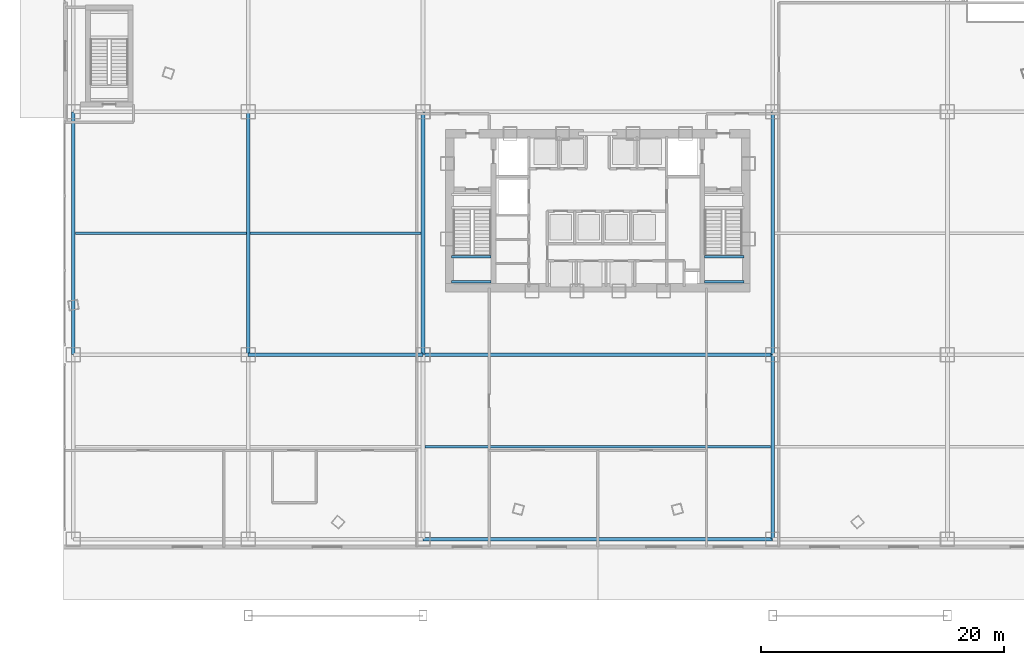
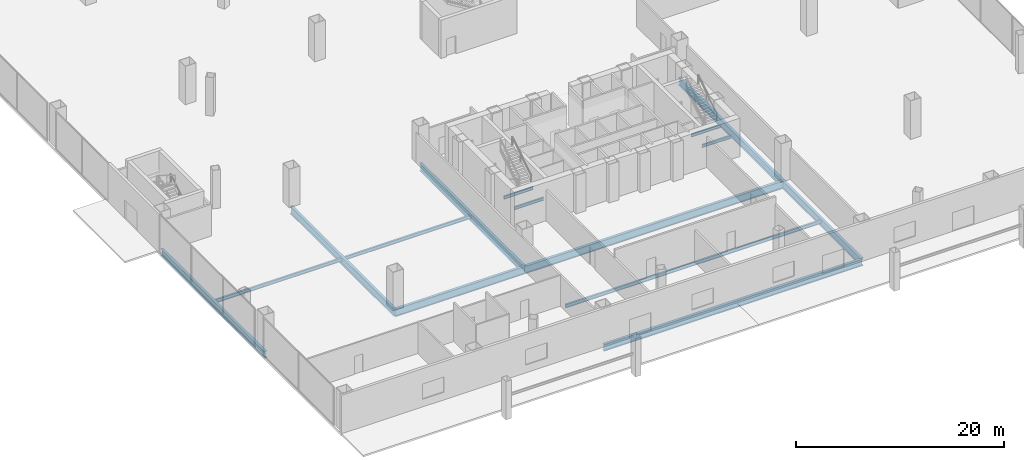
# One storey, part 9 of 58: 15 beams.
"""IFC4 building model written with IfcOpenShell, lengths in metres."""

from ifc_helpers import new_model, si_unit, direction, frame, origin, origin_2d, place, context, subcontext, project, spatial, i_section, extrude, source, transform, mapped, material, material_profile, profile_set, type_object, element, save


model = new_model("IFC4")

# Units and contexts
model_context = context("Model", 3, precision=1e-05, world=origin(), true_north=direction((0.0, 1.0)))
body_context = subcontext(model_context, "Body", "Model", "MODEL_VIEW")
ifc_project = project(units=[si_unit("LENGTHUNIT", "METRE"), si_unit("AREAUNIT", "SQUARE_METRE"), si_unit("VOLUMEUNIT", "CUBIC_METRE"), si_unit("PLANEANGLEUNIT", "RADIAN"), si_unit("MASSUNIT", "GRAM", prefix="KILO"), si_unit("THERMODYNAMICTEMPERATUREUNIT", "KELVIN"), si_unit("POWERUNIT", "WATT")], contexts=[model_context])

# Site, building, storey
site_placement = place(None, origin())
site = spatial("IfcSite", under=ifc_project, at=site_placement, CompositionType="ELEMENT")
building_placement = place(site_placement, origin())
building = spatial("IfcBuilding", under=site, at=building_placement, Name="Yunzhuo Pagoda Commons", CompositionType="ELEMENT")
storey_placement = place(building_placement, origin())
storey = spatial("IfcBuildingStorey", under=building, at=storey_placement, Name="L01", CompositionType="ELEMENT", Elevation=0.0)

# Beams
ifc_material = material(Name="Structural steel Q355B", Category="steel")
ifc_material_profile_1 = material_profile(ifc_material, i_section(OverallWidth=0.175048828125, OverallDepth=0.35009765625, WebThickness=0.007080078125, FlangeThickness=0.010986328125, at=origin_2d()), Name="Structural steel Q355B")
ifc_profile_set_1 = profile_set([ifc_material_profile_1], Name="Structural steel Q355B")
beam_type_1 = type_object("IfcBeamType", Name="B-JS2 Joist HN 350x175x7x11", PredefinedType="JOIST", material=ifc_profile_set_1)
shared_shape_1 = source(origin(), body_context, "Body", "SweptSolid", [
    extrude(i_section(OverallWidth=0.175048828125, OverallDepth=0.35009765625, WebThickness=0.007080078125, FlangeThickness=0.010986328125, at=origin_2d()), origin(), (0.0, 0.0, 1.0), 3.25),
])
for number, where, z_axis, x_axis, name in (
    (1, (35.949951171875, 28.0, 2.02490234375), (1.0, 0.0, 0.0), (0.0, 1.0, 0.0), "L01 ST1 landing support beam 3A"),
    (2, (35.949951171875, 30.06005859375, 2.02490234375), (1.0, 0.0, 0.0), (0.0, 1.0, 0.0), "L01 ST1 landing support beam 3B"),
    (3, (56.800048828125, 28.0, 2.02490234375), (1.0, 0.0, 0.0), (0.0, 1.0, 0.0), "L01 ST2 landing support beam 3A"),
    (4, (56.800048828125, 30.06005859375, 2.02490234375), (1.0, 0.0, 0.0), (0.0, 1.0, 0.0), "L01 ST2 landing support beam 3B"),
):
    element("IfcBeam", number, at=place(storey_placement, frame(where, z_axis=z_axis, x_axis=x_axis)), inside=storey, type_object=beam_type_1, Name=name, PredefinedType="JOIST", context=body_context, shape_type="MappedRepresentation", body=[
        mapped(shared_shape_1, transform((0.0, 0.0, 0.0), scale=1.0)),
    ])
ifc_material_profile_2 = material_profile(ifc_material, i_section(OverallWidth=0.300048828125, OverallDepth=0.800048828125, WebThickness=0.013916015625, FlangeThickness=0.02587890625, at=origin_2d()), Name="Structural steel Q355B")
ifc_profile_set_2 = profile_set([ifc_material_profile_2], Name="Structural steel Q355B")
beam_type_2 = type_object("IfcBeamType", Name="B-PD2 Beam HN 800x300x14x26", PredefinedType="BEAM", material=ifc_profile_set_2)
shared_shape_2 = source(origin(), body_context, "Body", "SweptSolid", [
    extrude(i_section(OverallWidth=0.300048828125, OverallDepth=0.800048828125, WebThickness=0.013916015625, FlangeThickness=0.02587890625, at=origin_2d()), origin(), (0.0, 0.0, 1.0), 28.7998046875),
])
beam_1_placement = place(storey_placement, frame((33.60009765625, 6.800048828125, -0.679931640625), z_axis=(1.0, 0.0, 0.0), x_axis=(0.0, 1.0, 0.0)))
element("IfcBeam", 5, at=beam_1_placement, inside=storey, type_object=beam_type_2, Name="L01 podium girder EW 1.3", PredefinedType="BEAM", context=body_context, shape_type="MappedRepresentation", body=[
    mapped(shared_shape_2, transform((0.0, 0.0, 0.0), scale=1.0)),
])
ifc_material_profile_3 = material_profile(ifc_material, i_section(OverallWidth=0.300048828125, OverallDepth=0.89990234375, WebThickness=0.01611328125, FlangeThickness=0.028076171875, at=origin_2d()), Name="Structural steel Q355B")
ifc_profile_set_3 = profile_set([ifc_material_profile_3], Name="Structural steel Q355B")
beam_type_3 = type_object("IfcBeamType", Name="B-PD1 Beam HN 900x300x16x28", PredefinedType="BEAM", material=ifc_profile_set_3)
shared_shape_3 = source(origin(), body_context, "Body", "SweptSolid", [
    extrude(i_section(OverallWidth=0.300048828125, OverallDepth=0.89990234375, WebThickness=0.01611328125, FlangeThickness=0.028076171875, at=origin_2d()), origin(), (0.0, 0.0, 1.0), 14.400146484375),
])
beam_2_placement = place(storey_placement, frame((19.199951171875, 22.0, -0.729736328125), z_axis=(1.0, 0.0, 0.0), x_axis=(0.0, 1.0, 0.0)))
element("IfcBeam", 6, at=beam_2_placement, inside=storey, type_object=beam_type_3, Name="L01 podium girder EW 2.2", PredefinedType="BEAM", context=body_context, shape_type="MappedRepresentation", body=[
    mapped(shared_shape_3, transform((0.0, 0.0, 0.0), scale=1.0)),
])
shared_shape_4 = source(origin(), body_context, "Body", "SweptSolid", [
    extrude(i_section(OverallWidth=0.300048828125, OverallDepth=0.89990234375, WebThickness=0.01611328125, FlangeThickness=0.028076171875, at=origin_2d()), origin(), (0.0, 0.0, 1.0), 28.7998046875),
])
beam_3_placement = place(storey_placement, frame((33.60009765625, 22.0, -0.729736328125), z_axis=(1.0, 0.0, 0.0), x_axis=(0.0, 1.0, 0.0)))
element("IfcBeam", 7, at=beam_3_placement, inside=storey, type_object=beam_type_3, Name="L01 podium girder EW 2.3", PredefinedType="BEAM", context=body_context, shape_type="MappedRepresentation", body=[
    mapped(shared_shape_4, transform((0.0, 0.0, 0.0), scale=1.0)),
])
ifc_material_profile_4 = material_profile(ifc_material, i_section(OverallWidth=0.199951171875, OverallDepth=0.39990234375, WebThickness=0.008056640625, FlangeThickness=0.012939453125, at=origin_2d()), Name="Structural steel Q355B")
ifc_profile_set_4 = profile_set([ifc_material_profile_4], Name="Structural steel Q355B")
beam_type_4 = type_object("IfcBeamType", Name="B-JS1 Joist HN 400x200x8x13", PredefinedType="JOIST", material=ifc_profile_set_4)
shared_shape_5 = source(origin(), body_context, "Body", "SweptSolid", [
    extrude(i_section(OverallWidth=0.199951171875, OverallDepth=0.39990234375, WebThickness=0.008056640625, FlangeThickness=0.012939453125, at=origin_2d()), origin(), (0.0, 0.0, 1.0), 14.08984375),
])
for number, where, z_axis, x_axis, name in (
    (8, (4.955078125, 32.0, -0.479736328125), (1.0, 0.0, 0.0), (0.0, 1.0, 0.0), "L01 podium composite joist 1.2"),
    (9, (19.355224609375, 32.0, -0.479736328125), (1.0, 0.0, 0.0), (0.0, 1.0, 0.0), "L01 podium composite joist 2.2"),
):
    element("IfcBeam", number, at=place(storey_placement, frame(where, z_axis=z_axis, x_axis=x_axis)), inside=storey, type_object=beam_type_4, Name=name, PredefinedType="JOIST", context=body_context, shape_type="MappedRepresentation", body=[
        mapped(shared_shape_5, transform((0.0, 0.0, 0.0), scale=1.0)),
    ])
shared_shape_6 = source(origin(), body_context, "Body", "SweptSolid", [
    extrude(i_section(OverallWidth=0.300048828125, OverallDepth=0.800048828125, WebThickness=0.013916015625, FlangeThickness=0.02587890625, at=origin_2d()), origin(), (0.0, 0.0, 1.0), 20.0),
])
beam_4_placement = place(storey_placement, frame((4.800048828125, 22.0, -0.679931640625), z_axis=(0.0, 1.0, 0.0), x_axis=(-1.0, 0.0, 0.0)))
element("IfcBeam", 10, at=beam_4_placement, inside=storey, type_object=beam_type_2, Name="L01 podium girder NS 1.2", PredefinedType="BEAM", context=body_context, shape_type="MappedRepresentation", body=[
    mapped(shared_shape_6, transform((0.0, 0.0, 0.0), scale=1.0)),
])
shared_shape_7 = source(origin(), body_context, "Body", "SweptSolid", [
    extrude(i_section(OverallWidth=0.300048828125, OverallDepth=0.89990234375, WebThickness=0.01611328125, FlangeThickness=0.028076171875, at=origin_2d()), origin(), (0.0, 0.0, 1.0), 15.199951171875),
])
beam_5_placement = place(storey_placement, frame((62.39990234375, 6.800048828125, -0.729736328125), z_axis=(0.0, 1.0, 0.0), x_axis=(-1.0, 0.0, 0.0)))
element("IfcBeam", 11, at=beam_5_placement, inside=storey, type_object=beam_type_3, Name="L01 podium girder NS 4.1", PredefinedType="BEAM", context=body_context, shape_type="MappedRepresentation", body=[
    mapped(shared_shape_7, transform((0.0, 0.0, 0.0), scale=1.0)),
])
shared_shape_8 = source(origin(), body_context, "Body", "SweptSolid", [
    extrude(i_section(OverallWidth=0.300048828125, OverallDepth=0.89990234375, WebThickness=0.01611328125, FlangeThickness=0.028076171875, at=origin_2d()), origin(), (0.0, 0.0, 1.0), 20.0),
])
for number, where, z_axis, x_axis, name in (
    (12, (19.199951171875, 22.0, -0.729736328125), (0.0, 1.0, 0.0), (-1.0, 0.0, 0.0), "L01 podium girder NS 2.2"),
    (13, (33.60009765625, 22.0, -0.729736328125), (0.0, 1.0, 0.0), (-1.0, 0.0, 0.0), "L01 podium girder NS 3.2"),
    (14, (62.39990234375, 22.0, -0.729736328125), (0.0, 1.0, 0.0), (-1.0, 0.0, 0.0), "L01 podium girder NS 4.2"),
):
    element("IfcBeam", number, at=place(storey_placement, frame(where, z_axis=z_axis, x_axis=x_axis)), inside=storey, type_object=beam_type_3, Name=name, PredefinedType="BEAM", context=body_context, shape_type="MappedRepresentation", body=[
        mapped(shared_shape_8, transform((0.0, 0.0, 0.0), scale=1.0)),
    ])
shared_shape_9 = source(origin(), body_context, "Body", "SweptSolid", [
    extrude(i_section(OverallWidth=0.199951171875, OverallDepth=0.39990234375, WebThickness=0.008056640625, FlangeThickness=0.012939453125, at=origin_2d()), origin(), (0.0, 0.0, 1.0), 28.490234375),
])
beam_6_placement = place(storey_placement, frame((33.7548828125, 14.39990234375, -0.479736328125), z_axis=(1.0, 0.0, 0.0), x_axis=(0.0, 1.0, 0.0)))
element("IfcBeam", 15, at=beam_6_placement, inside=storey, type_object=beam_type_4, Name="L01 podium composite joist 3.1", PredefinedType="JOIST", context=body_context, shape_type="MappedRepresentation", body=[
    mapped(shared_shape_9, transform((0.0, 0.0, 0.0), scale=1.0)),
])

save(model, "model.ifc")
